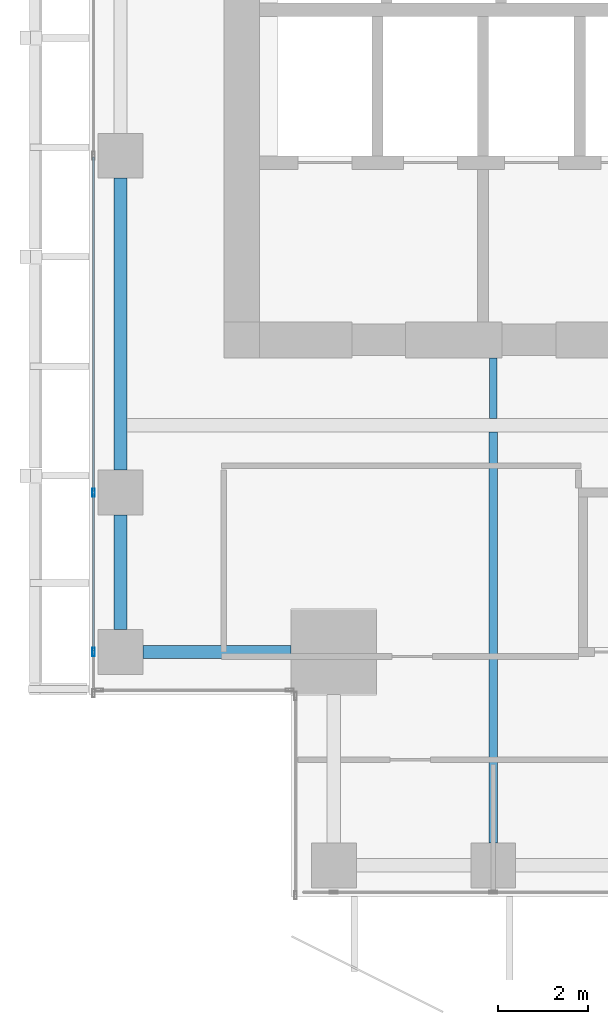
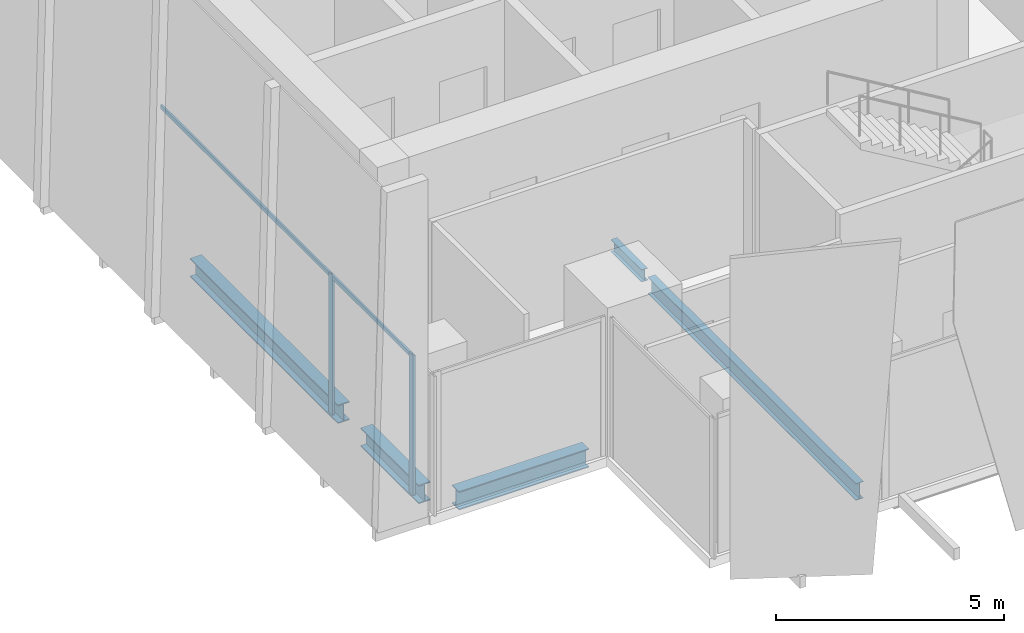
# One storey, part 4 of 35: 5 beams, 4 members, 1 element without a shape of its own.
"""IFC4 building model written with IfcOpenShell, lengths in metres."""

from ifc_helpers import new_model, si_unit, direction, frame, origin, origin_2d, place, context, subcontext, project, spatial, hollow_rectangle, i_section, extrude, source, transform, mapped, material, material_profile, profile_set, type_object, element, aggregate, save


model = new_model("IFC4")

# Units and contexts
model_context = context("Model", 3, precision=1e-05, world=origin(), true_north=direction((0.0, 1.0)))
body_context = subcontext(model_context, "Body", "Model", "MODEL_VIEW")
ifc_project = project(units=[si_unit("LENGTHUNIT", "METRE"), si_unit("AREAUNIT", "SQUARE_METRE"), si_unit("VOLUMEUNIT", "CUBIC_METRE"), si_unit("PLANEANGLEUNIT", "RADIAN"), si_unit("MASSUNIT", "GRAM", prefix="KILO")], contexts=[model_context])

# Site, building, storey
site_placement = place(None, origin())
site = spatial("IfcSite", under=ifc_project, at=site_placement, CompositionType="ELEMENT")
building_placement = place(site_placement, origin())
building = spatial("IfcBuilding", under=site, at=building_placement, Name="Khomas Fold Tower", CompositionType="ELEMENT")
storey_placement = place(building_placement, frame((0.0, 0.0, 212.699951171875)))
storey = spatial("IfcBuildingStorey", under=building, at=storey_placement, Name="L47", CompositionType="ELEMENT", Elevation=212.699951171875)

# Beams
ifc_material_1 = material(Name="Steel S355", Category="steel")
ifc_material_profile_1 = material_profile(ifc_material_1, i_section(OverallWidth=0.300048828125, OverallDepth=0.5, WebThickness=0.014404296875, FlangeThickness=0.028076171875, at=origin_2d()), Name="HE 500 B")
ifc_profile_set_1 = profile_set([ifc_material_profile_1], Name="Steel S355")
beam_type_1 = type_object("IfcBeamType", Name="HE 500 B spandrel SB3", PredefinedType="SPANDREL", material=ifc_profile_set_1)
shared_shape_1 = source(origin(), body_context, "Body", "SweptSolid", [
    extrude(i_section(OverallWidth=0.300048828125, OverallDepth=0.5, WebThickness=0.014404296875, FlangeThickness=0.028076171875, at=origin_2d()), origin(), (0.0, 0.0, 1.0), 2.550048828125),
])
beam_1_placement = place(storey_placement, frame((3.699951171875, 8.949951171875, -0.5), z_axis=(0.0, 1.0, 0.0), x_axis=(-1.0, 0.0, 0.0)))
element("IfcBeam", 1, at=beam_1_placement, inside=storey, type_object=beam_type_1, Name="SB3", PredefinedType="SPANDREL", context=body_context, shape_type="MappedRepresentation", body=[
    mapped(shared_shape_1, transform((0.0, 0.0, 0.0))),
])
shared_shape_2 = source(origin(), body_context, "Body", "SweptSolid", [
    extrude(i_section(OverallWidth=0.300048828125, OverallDepth=0.5, WebThickness=0.014404296875, FlangeThickness=0.028076171875, at=origin_2d()), origin(), (0.0, 0.0, 1.0), 6.5),
])
beam_2_placement = place(storey_placement, frame((3.699951171875, 12.5, -0.5), z_axis=(0.0, 1.0, 0.0), x_axis=(-1.0, 0.0, 0.0)))
element("IfcBeam", 2, at=beam_2_placement, inside=storey, type_object=beam_type_1, Name="SB3", PredefinedType="SPANDREL", context=body_context, shape_type="MappedRepresentation", body=[
    mapped(shared_shape_2, transform((0.0, 0.0, 0.0))),
])
shared_shape_3 = source(origin(), body_context, "Body", "SweptSolid", [
    extrude(i_section(OverallWidth=0.300048828125, OverallDepth=0.5, WebThickness=0.014404296875, FlangeThickness=0.028076171875, at=origin_2d()), origin(), (0.0, 0.0, 1.0), 3.300048828125),
])
beam_3_placement = place(storey_placement, frame((4.199951171875, 8.449951171875, -0.5), z_axis=(1.0, 0.0, 0.0), x_axis=(0.0, 1.0, 0.0)))
element("IfcBeam", 3, at=beam_3_placement, inside=storey, type_object=beam_type_1, Name="SB3", PredefinedType="SPANDREL", context=body_context, shape_type="MappedRepresentation", body=[
    mapped(shared_shape_3, transform((0.0, 0.0, 0.0))),
])
ifc_material_2 = material(Name="Steel S355", Category="steel")
ifc_material_profile_2 = material_profile(ifc_material_2, i_section(OverallWidth=0.18994140625, OverallDepth=0.449951171875, WebThickness=0.009521484375, FlangeThickness=0.0146484375, at=origin_2d()), Name="IPE 450")
ifc_profile_set_2 = profile_set([ifc_material_profile_2], Name="Steel S355")
beam_type_2 = type_object("IfcBeamType", Name="IPE 450 beam JB4", PredefinedType="BEAM", material=ifc_profile_set_2)
shared_shape_4 = source(origin(), body_context, "Body", "SweptSolid", [
    extrude(i_section(OverallWidth=0.18994140625, OverallDepth=0.449951171875, WebThickness=0.009521484375, FlangeThickness=0.0146484375, at=origin_2d()), origin(), (0.0, 0.0, 1.0), 9.150146484375),
])
beam_4_placement = place(storey_placement, frame((12.0, 4.199951171875, -0.474853515625), z_axis=(0.0, 1.0, 0.0), x_axis=(-1.0, 0.0, 0.0)))
element("IfcBeam", 4, at=beam_4_placement, inside=storey, type_object=beam_type_2, Name="JB4", PredefinedType="BEAM", context=body_context, shape_type="MappedRepresentation", body=[
    mapped(shared_shape_4, transform((0.0, 0.0, 0.0))),
])
ifc_material_3 = material(Name="Steel S355", Category="steel")
ifc_material_profile_3 = material_profile(ifc_material_3, i_section(OverallWidth=0.159912109375, OverallDepth=0.330078125, WebThickness=0.007568359375, FlangeThickness=0.011474609375, at=origin_2d()), Name="IPE 330")
ifc_profile_set_3 = profile_set([ifc_material_profile_3], Name="Steel S355")
beam_type_3 = type_object("IfcBeamType", Name="IPE 330 beam JB1", PredefinedType="BEAM", material=ifc_profile_set_3)
shared_shape_5 = source(origin(), body_context, "Body", "SweptSolid", [
    extrude(i_section(OverallWidth=0.159912109375, OverallDepth=0.330078125, WebThickness=0.007568359375, FlangeThickness=0.011474609375, at=origin_2d()), origin(), (0.0, 0.0, 1.0), 1.35009765625),
])
beam_5_placement = place(storey_placement, frame((12.0, 13.64990234375, -0.4150390625), z_axis=(0.0, 1.0, 0.0), x_axis=(-1.0, 0.0, 0.0)))
element("IfcBeam", 5, at=beam_5_placement, inside=storey, type_object=beam_type_3, Name="JB1", PredefinedType="BEAM", context=body_context, shape_type="MappedRepresentation", body=[
    mapped(shared_shape_5, transform((0.0, 0.0, 0.0))),
])

# Curtain wall, members
ifc_material_4 = material(Name="Aluminium framed double glazing", Category="aluminium")
curtain_wall_type = type_object("IfcCurtainWallType", Name="SK-Unitised clear-glass wall, office floors CW2", PredefinedType="NOTDEFINED", material=ifc_material_4)
curtain_wall_placement = place(storey_placement, origin())
curtain_wall = element("IfcCurtainWall", 6, at=curtain_wall_placement, inside=storey, type_object=curtain_wall_type, Name="CW2 run L47 09-0", PredefinedType="NOTDEFINED")
ifc_material_5 = material(Name="Aluminium", Category="aluminium")
ifc_material_profile_4 = material_profile(ifc_material_5, hollow_rectangle(XDim=0.06005859375, YDim=0.179931640625, WallThickness=0.00390625, at=origin_2d()), Name="SK-Unitised clear-glass wall, office floors mullion CW2-M")
ifc_profile_set_4 = profile_set([ifc_material_profile_4], Name="Aluminium")
member_type_1 = type_object("IfcMemberType", Name="SK-Unitised clear-glass wall, office floors mullion CW2-M", PredefinedType="MULLION", material=ifc_profile_set_4)
shared_shape_6 = source(origin(), body_context, "Body", "SweptSolid", [
    extrude(hollow_rectangle(XDim=0.06005859375, YDim=0.179931640625, WallThickness=0.00390625, at=origin_2d()), origin(), (0.0, 0.0, 1.0), 3.75),
])
member_1_placement = place(storey_placement, frame((3.10009765625, 12.0, 0.0), z_axis=(0.0, 0.0, 1.0), x_axis=(1.0, 0.0, 0.0)))
member_1 = element("IfcMember", 7, at=member_1_placement, type_object=member_type_1, Name="CW2 mullion 7", PredefinedType="MULLION", context=body_context, shape_type="MappedRepresentation", body=[
    mapped(shared_shape_6, transform((0.0, 0.0, 0.0))),
])
member_2_placement = place(storey_placement, frame((3.10009765625, 8.449951171875, 0.0), z_axis=(0.0, 0.0, 1.0), x_axis=(1.0, 0.0, 0.0)))
member_2 = element("IfcMember", 8, at=member_2_placement, type_object=member_type_1, Name="CW2 mullion 8", PredefinedType="MULLION", context=body_context, shape_type="MappedRepresentation", body=[
    mapped(shared_shape_6, transform((0.0, 0.0, 0.0))),
])
ifc_material_6 = material(Name="Aluminium", Category="aluminium")
ifc_material_profile_5 = material_profile(ifc_material_6, hollow_rectangle(XDim=0.050048828125, YDim=0.110107421875, WallThickness=0.00390625, at=origin_2d()), Name="SK-Unitised clear-glass wall, office floors transom CW2-T")
ifc_profile_set_5 = profile_set([ifc_material_profile_5], Name="Aluminium")
member_type_2 = type_object("IfcMemberType", Name="SK-Unitised clear-glass wall, office floors transom CW2-T", PredefinedType="USERDEFINED", material=ifc_profile_set_5)
shared_shape_7 = source(origin(), body_context, "Body", "SweptSolid", [
    extrude(hollow_rectangle(XDim=0.050048828125, YDim=0.110107421875, WallThickness=0.00390625, at=origin_2d()), origin(), (0.0, 0.0, 1.0), 3.489990234375),
])
member_3_placement = place(storey_placement, frame((3.10009765625, 11.969970703125, 3.695068359375), z_axis=(0.0, -1.0, 0.0), x_axis=(1.0, 0.0, 0.0)))
member_3 = element("IfcMember", 9, at=member_3_placement, type_object=member_type_2, Name="CW2 transom 7", ObjectType="TRANSOM", PredefinedType="USERDEFINED", context=body_context, shape_type="MappedRepresentation", body=[
    mapped(shared_shape_7, transform((0.0, 0.0, 0.0))),
])
shared_shape_8 = source(origin(), body_context, "Body", "SweptSolid", [
    extrude(hollow_rectangle(XDim=0.050048828125, YDim=0.110107421875, WallThickness=0.00390625, at=origin_2d()), origin(), (0.0, 0.0, 1.0), 7.43994140625),
])
member_4_placement = place(storey_placement, frame((3.10009765625, 19.469970703125, 3.695068359375), z_axis=(0.0, -1.0, 0.0), x_axis=(1.0, 0.0, 0.0)))
member_4 = element("IfcMember", 10, at=member_4_placement, type_object=member_type_2, Name="CW2 transom 6", ObjectType="TRANSOM", PredefinedType="USERDEFINED", context=body_context, shape_type="MappedRepresentation", body=[
    mapped(shared_shape_8, transform((0.0, 0.0, 0.0))),
])
aggregate(curtain_wall, [member_1, member_2, member_4, member_3])

save(model, "model.ifc")
